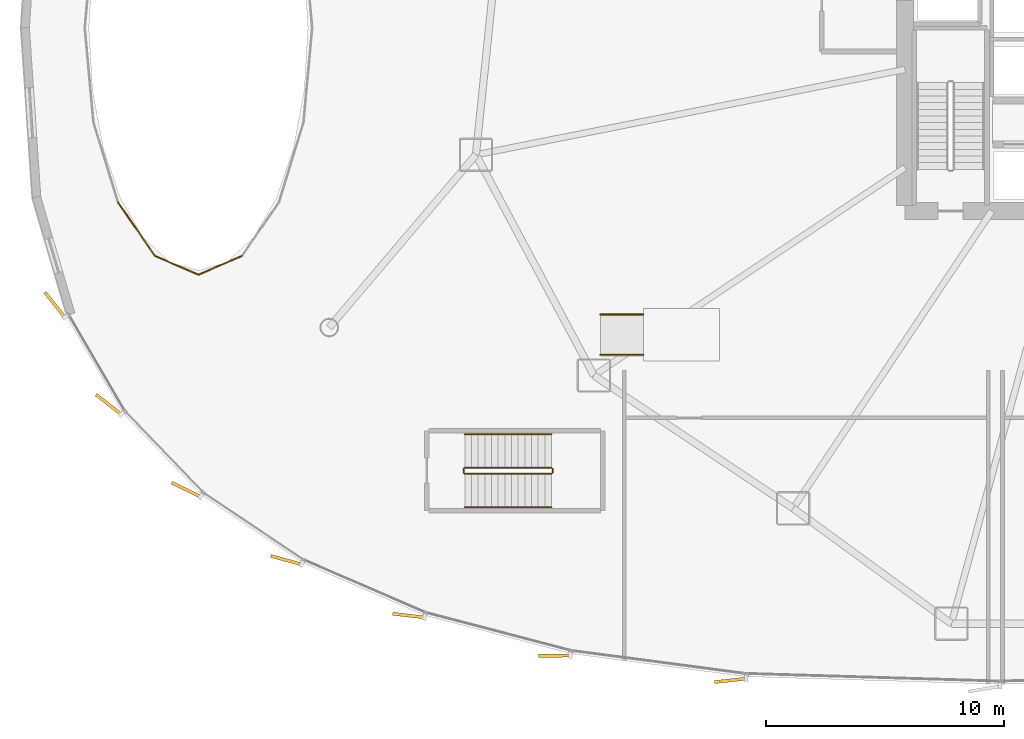
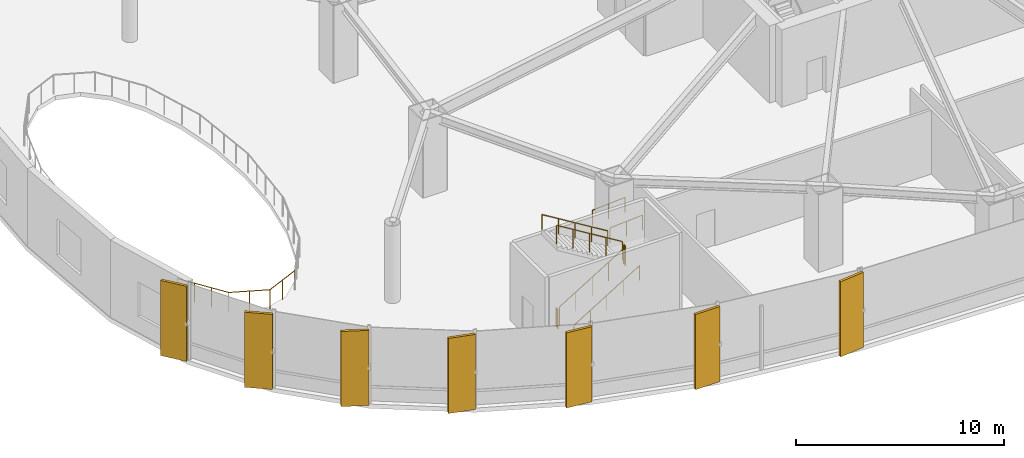
# One storey, part 28 of 33: 11 railings, 7 coverings.
"""IFC4 building model written with IfcOpenShell, lengths in metres."""

import ifcopenshell
import ifcopenshell.guid

model = None  # the IFC model being written
_history = None  # IfcOwnerHistory: only IFC2X3 demands one
_inside = {}  # id of a spatial element -> (the spatial element, [elements in it])
_under = {}  # id of a project, library or spatial element -> (it, [spatial elements below it])
_declared = {}  # id of a project -> (the project, [libraries it declares])
_typed = {}  # id of a type object -> (the type object, [elements of that type])
_made_of = {}  # id of a material, layer set ... -> (it, [elements and type objects made of it])


def new_model(schema):
    """Start an empty IFC model of exactly this schema.

    Asked for "IFC4X3", IfcOpenShell would pick the latest addendum, in which some entities
    have other attributes; the version numbers below select the first issue.
    IFC2X3 requires an IfcOwnerHistory on every rooted entity: one is made here for all.
    """
    global model, _history
    if schema == "IFC4X3":
        model = ifcopenshell.file(schema_version=(4, 3, 0, 0))
    else:
        model = ifcopenshell.file(schema=schema)
    _inside.clear()
    _under.clear()
    _declared.clear()
    _typed.clear()
    _made_of.clear()
    _history = None
    if model.schema == "IFC2X3":
        org = make("IfcOrganization", Name="unknown")
        user = make(
            "IfcPersonAndOrganization",
            ThePerson=make("IfcPerson", FamilyName="unknown"),
            TheOrganization=org,
        )
        app = make(
            "IfcApplication",
            ApplicationDeveloper=org,
            Version="unknown",
            ApplicationFullName="unknown",
            ApplicationIdentifier="unknown",
        )
        _history = make(
            "IfcOwnerHistory",
            OwningUser=user,
            OwningApplication=app,
            ChangeAction="ADDED",
            CreationDate=0,
        )
    return model


def make(cls, **values):
    """One entity of the class cls with the attributes given. An attribute that is None is left unset."""
    return model.create_entity(
        cls, **{name: value for name, value in values.items() if value is not None}
    )


def rooted(cls, **values):
    """An entity with a GlobalId (a new one), such as an element, a storey or a relation."""
    return make(cls, GlobalId=ifcopenshell.guid.new(), OwnerHistory=_history, **values)


def si_unit(unit_type, name, prefix=None):
    """IfcSIUnit, for example si_unit("LENGTHUNIT", "METRE", prefix="MILLI")."""
    return make("IfcSIUnit", UnitType=unit_type, Prefix=prefix, Name=name)


def assignment(units):
    """IfcUnitAssignment: the units of a project."""
    return None if units is None else make("IfcUnitAssignment", Units=units)


def point(xyz):
    """IfcCartesianPoint."""
    return None if xyz is None else make("IfcCartesianPoint", Coordinates=xyz)


def direction(xyz):
    """IfcDirection."""
    return None if xyz is None else make("IfcDirection", DirectionRatios=xyz)


def frame(location, z_axis=None, x_axis=None):
    """IfcAxis2Placement3D, a coordinate frame: its origin and axes. An axis left out is left unset."""
    return make(
        "IfcAxis2Placement3D",
        Location=point(location),
        Axis=direction(z_axis),
        RefDirection=direction(x_axis),
    )


def frame_2d(location, x_axis=None):
    """IfcAxis2Placement2D, a coordinate frame in the plane: its origin and x axis."""
    return make(
        "IfcAxis2Placement2D", Location=point(location), RefDirection=direction(x_axis)
    )


def origin():
    """The frame at (0, 0, 0) with its axes left unset."""
    return frame((0.0, 0.0, 0.0))


def origin_2d():
    """The frame at (0, 0) in the plane with its x axis left unset."""
    return frame_2d((0.0, 0.0))


def place(relative_to, where):
    """IfcLocalPlacement: puts the frame where relative to a parent placement (None: the world)."""
    return make(
        "IfcLocalPlacement", PlacementRelTo=relative_to, RelativePlacement=where
    )


def context(
    kind, dimensions, precision=None, world=None, true_north=None, identifier=None
):
    """IfcGeometricRepresentationContext, for example the 3D "Model" context."""
    return make(
        "IfcGeometricRepresentationContext",
        ContextIdentifier=identifier,
        ContextType=kind,
        CoordinateSpaceDimension=dimensions,
        Precision=precision,
        WorldCoordinateSystem=world,
        TrueNorth=true_north,
    )


def subcontext(parent, identifier, kind, view, scale=None):
    """IfcGeometricRepresentationSubContext, for example "Body" below "Model"."""
    return make(
        "IfcGeometricRepresentationSubContext",
        ContextIdentifier=identifier,
        ContextType=kind,
        ParentContext=parent,
        TargetScale=scale,
        TargetView=view,
    )


def project(units=None, contexts=None):
    """IfcProject with its units and contexts."""
    return rooted(
        "IfcProject",
        Name="project",
        RepresentationContexts=contexts,
        UnitsInContext=assignment(units),
    )


def spatial(cls, under=None, at=None, **own):
    """A site, building, storey or space (cls), placed at a placement, below another one or the project."""
    s = rooted(cls, ObjectPlacement=at, **own)
    if under is not None:
        _under.setdefault(under.id(), (under, []))[1].append(s)
    return s


def profile(cls, at=None, kind="AREA", **sizes):
    """A parametric profile (cls). Its sizes go by their IFC names, for example OverallWidth=200.0."""
    return make(cls, ProfileType=kind, Position=at, **sizes)


def rectangle(**sizes):
    """IfcRectangleProfileDef."""
    return profile("IfcRectangleProfileDef", **sizes)


def circle(**sizes):
    """IfcCircleProfileDef."""
    return profile("IfcCircleProfileDef", **sizes)


def extrude(swept, where, along, depth):
    """IfcExtrudedAreaSolid: the profile swept, set in the frame where, extruded along a direction by depth."""
    return make(
        "IfcExtrudedAreaSolid",
        SweptArea=swept,
        Position=where,
        ExtrudedDirection=direction(along),
        Depth=depth,
    )


def shape(context_of_items, identifier, shape_type, items):
    """IfcShapeRepresentation: the items that make up one representation, for example the "Body"."""
    return make(
        "IfcShapeRepresentation",
        ContextOfItems=context_of_items,
        RepresentationIdentifier=identifier,
        RepresentationType=shape_type,
        Items=items,
    )


def source(mapping_origin, context_of_items, identifier, shape_type, items):
    """IfcRepresentationMap: a shape defined once, which mapped items show again and again."""
    return make(
        "IfcRepresentationMap",
        MappingOrigin=mapping_origin,
        MappedRepresentation=shape(context_of_items, identifier, shape_type, items),
    )


def transform(
    local_origin,
    x_axis=None,
    y_axis=None,
    z_axis=None,
    scale=None,
    scale2=None,
    scale3=None,
    uniform=True,
):
    """IfcCartesianTransformationOperator3D, or its non-uniform kind. x_axis, y_axis, z_axis: its Axis1, 2, 3."""
    if uniform:
        return make(
            "IfcCartesianTransformationOperator3D",
            Axis1=direction(x_axis),
            Axis2=direction(y_axis),
            LocalOrigin=point(local_origin),
            Scale=scale,
            Axis3=direction(z_axis),
        )
    return make(
        "IfcCartesianTransformationOperator3DnonUniform",
        Axis1=direction(x_axis),
        Axis2=direction(y_axis),
        LocalOrigin=point(local_origin),
        Scale=scale,
        Axis3=direction(z_axis),
        Scale2=scale2,
        Scale3=scale3,
    )


def mapped(mapping_source, mapping_target):
    """IfcMappedItem: shows the shape of a source again, moved by a transform."""
    return make(
        "IfcMappedItem", MappingSource=mapping_source, MappingTarget=mapping_target
    )


def material(Name=None, Category=None):
    """IfcMaterial."""
    return make("IfcMaterial", Name=Name, Category=Category)


def layer(
    of_material, thickness, ventilated=None, Name=None, Category=None, Priority=None
):
    """IfcMaterialLayer: one layer of a wall or slab, of a material (None: an air gap)."""
    return make(
        "IfcMaterialLayer",
        Material=of_material,
        LayerThickness=thickness,
        IsVentilated=ventilated,
        Name=Name,
        Category=Category,
        Priority=Priority,
    )


def layer_set(layers, Name=None):
    """IfcMaterialLayerSet."""
    return make("IfcMaterialLayerSet", MaterialLayers=layers, LayerSetName=Name)


def made_of(thing, what):
    """Note that an element or type object is made of a material, layer set ...; save() writes the relation."""
    if what is not None:
        _made_of.setdefault(what.id(), (what, []))[1].append(thing)
    return thing


def type_object(cls, material=None, **own):
    """A type object (cls), such as IfcWallType, which elements share."""
    return made_of(rooted(cls, **own), material)


def element(
    cls,
    number,
    at=None,
    inside=None,
    cuts=None,
    type_object=None,
    material=None,
    context=None,
    identifier="Body",
    shape_type=None,
    held_by="IfcProductDefinitionShape",
    body=None,
    shapes=None,
    **own,
):
    """One element of the class cls, such as IfcWall. Its Tag is "e" and its number.

    at: its placement. inside: the storey or other place that contains it. cuts: it is an
    opening in that element (IfcRelVoidsElement). A single representation is given by context,
    identifier, shape_type and body (its items); several are given by shapes. held_by: the class
    of the entity that holds the representations. save() writes the other relations.
    """
    e = rooted(cls, Tag="e%d" % number, ObjectPlacement=at, **own)
    if body is not None:
        shapes = [shape(context, identifier, shape_type, body)]
    if shapes is not None:
        e.Representation = make(held_by, Representations=shapes)
    if inside is not None:
        _inside.setdefault(inside.id(), (inside, []))[1].append(e)
    if cuts is not None:
        rooted(
            "IfcRelVoidsElement", RelatingBuildingElement=cuts, RelatedOpeningElement=e
        )
    if type_object is not None:
        _typed.setdefault(type_object.id(), (type_object, []))[1].append(e)
    return made_of(e, material)


def aggregate(whole, parts):
    """IfcRelAggregates: a whole, such as a stair, and the parts it consists of."""
    return rooted("IfcRelAggregates", RelatingObject=whole, RelatedObjects=parts)


def save(model, path):
    """Write the relations noted so far, then the file.

    IfcRelAggregates (storeys below a building ...), IfcRelContainedInSpatialStructure (elements
    in a storey), IfcRelDefinesByType, IfcRelAssociatesMaterial and IfcRelDeclares: one each for
    every whole, place, type object, material and project.
    """
    for whole, parts in _under.values():
        aggregate(whole, parts)
    for where, things in _inside.values():
        rooted(
            "IfcRelContainedInSpatialStructure",
            RelatedElements=things,
            RelatingStructure=where,
        )
    for kind, things in _typed.values():
        rooted("IfcRelDefinesByType", RelatedObjects=things, RelatingType=kind)
    for what, things in _made_of.values():
        rooted("IfcRelAssociatesMaterial", RelatedObjects=things, RelatingMaterial=what)
    for by, libraries in _declared.values():
        rooted("IfcRelDeclares", RelatingContext=by, RelatedDefinitions=libraries)
    model.write(path)


model = new_model("IFC4")

# Units and contexts
model_context = context("Model", 3, precision=1e-05, world=origin(), true_north=direction((0.0, 1.0)))
body_context = subcontext(model_context, "Body", "Model", "MODEL_VIEW")
ifc_project = project(units=[si_unit("LENGTHUNIT", "METRE"), si_unit("AREAUNIT", "SQUARE_METRE"), si_unit("VOLUMEUNIT", "CUBIC_METRE"), si_unit("PLANEANGLEUNIT", "RADIAN"), si_unit("MASSUNIT", "GRAM", prefix="KILO"), si_unit("THERMODYNAMICTEMPERATUREUNIT", "KELVIN")], contexts=[model_context])

# Site, building, storey
site_placement = place(None, origin())
site = spatial("IfcSite", under=ifc_project, at=site_placement, CompositionType="ELEMENT")
building_placement = place(site_placement, origin())
building = spatial("IfcBuilding", under=site, at=building_placement, Name="Kethvar Cultural Tower", CompositionType="ELEMENT")
storey_placement = place(building_placement, frame((0.0, 0.0, 10.0)))
storey = spatial("IfcBuildingStorey", under=building, at=storey_placement, Name="L02", CompositionType="ELEMENT", Elevation=10.0)

# Railings
ifc_material_1 = material(Name="Steel S355J2", Category="steel")
railing_type_1 = type_object("IfcRailingType", Name="RL-INT-ATRIUM-1150", PredefinedType="BALUSTRADE", material=ifc_material_1)
railing_1_placement = place(storey_placement, frame((4.919921875, 20.460205078125, 0.0)))
element("IfcRailing", 1, at=railing_1_placement, inside=storey, type_object=railing_type_1, Name="L02 Atrium Void Balustrade 11", PredefinedType="BALUSTRADE", context=body_context, shape_type="SweptSolid", body=[
    extrude(circle(Radius=0.02392578125, at=origin_2d()), frame((0.0, 0.0, 1.1259765625), z_axis=(0.567499103601, -0.823374014293, 0.0), x_axis=(0.823374014293, 0.567499103601, 0.0)), (0.0, 0.0, 1.0), 2.732666015625),
    extrude(circle(Radius=0.02099609375, at=origin_2d()), origin(), (0.0, 0.0, 1.0), 1.101806640625),
    extrude(circle(Radius=0.02099609375, at=origin_2d()), frame((0.516845703125, -0.75, 0.0)), (0.0, 0.0, 1.0), 1.101806640625),
    extrude(circle(Radius=0.02099609375, at=origin_2d()), frame((1.033935546875, -1.5, 0.0)), (0.0, 0.0, 1.0), 1.101806640625),
    extrude(circle(Radius=0.02099609375, at=origin_2d()), frame((1.55078125, -2.25, 0.0)), (0.0, 0.0, 1.0), 1.101806640625),
])
railing_2_placement = place(storey_placement, frame((6.470703125, 18.210205078125, 0.0)))
element("IfcRailing", 2, at=railing_2_placement, inside=storey, type_object=railing_type_1, Name="L02 Atrium Void Balustrade 12", PredefinedType="BALUSTRADE", context=body_context, shape_type="SweptSolid", body=[
    extrude(circle(Radius=0.02392578125, at=origin_2d()), frame((0.0, 0.0, 1.1259765625), z_axis=(0.918000525131, -0.396579167203, 0.0), x_axis=(0.396579167203, 0.918000525131, 0.0)), (0.0, 0.0, 1.0), 1.99267578125),
    extrude(circle(Radius=0.02099609375, at=origin_2d()), origin(), (0.0, 0.0, 1.0), 1.101806640625),
    extrude(circle(Radius=0.02099609375, at=origin_2d()), frame((0.91455078125, -0.39501953125, 0.0)), (0.0, 0.0, 1.0), 1.101806640625),
    extrude(circle(Radius=0.02099609375, at=origin_2d()), frame((1.829345703125, -0.790283203125, 0.0)), (0.0, 0.0, 1.0), 1.101806640625),
])
railing_3_placement = place(storey_placement, frame((8.300048828125, 17.419921875, 0.0)))
element("IfcRailing", 3, at=railing_3_placement, inside=storey, type_object=railing_type_1, Name="L02 Atrium Void Balustrade 13", PredefinedType="BALUSTRADE", context=body_context, shape_type="SweptSolid", body=[
    extrude(circle(Radius=0.02392578125, at=origin_2d()), frame((0.0, 0.0, 1.1259765625), z_axis=(0.917981253421, 0.396623774336, 0.0), x_axis=(-0.396623774336, 0.917981253421, 0.0)), (0.0, 0.0, 1.0), 1.992431640625),
    extrude(circle(Radius=0.02099609375, at=origin_2d()), origin(), (0.0, 0.0, 1.0), 1.101806640625),
    extrude(circle(Radius=0.02099609375, at=origin_2d()), frame((0.91455078125, 0.39501953125, 0.0)), (0.0, 0.0, 1.0), 1.101806640625),
    extrude(circle(Radius=0.02099609375, at=origin_2d()), frame((1.8291015625, 0.790283203125, 0.0)), (0.0, 0.0, 1.0), 1.101806640625),
])
railing_type_2 = type_object("IfcRailingType", Name="RL-STAIR-GUARD", PredefinedType="BALUSTRADE", material=ifc_material_1)
railing_4_placement = place(storey_placement, frame((19.5, 9.050048828125, 0.17138671875)))
element("IfcRailing", 4, at=railing_4_placement, inside=storey, type_object=railing_type_2, Name="L02 ST-04 stair guard 1", PredefinedType="BALUSTRADE", context=body_context, shape_type="SweptSolid", body=[
    extrude(circle(Radius=0.02392578125, at=origin_2d()), frame((0.0, 0.0, 1.09619140625), z_axis=(0.852850264322, 0.0, 0.5221555579), x_axis=(0.0, 1.0, 0.0)), (0.0, 0.0, 1.0), 4.267822265625),
    extrude(circle(Radius=0.02099609375, at=origin_2d()), origin(), (0.0, 0.0, 1.0), 1.072021484375),
    extrude(circle(Radius=0.02099609375, at=origin_2d()), frame((0.909912109375, 0.0, 0.55712890625)), (0.0, 0.0, 1.0), 1.072021484375),
    extrude(circle(Radius=0.02099609375, at=origin_2d()), frame((1.81982421875, 0.0, 1.1142578125)), (0.0, 0.0, 1.0), 1.072021484375),
    extrude(circle(Radius=0.02099609375, at=origin_2d()), frame((2.72998046875, 0.0, 1.67138671875)), (0.0, 0.0, 1.0), 1.072021484375),
    extrude(circle(Radius=0.02099609375, at=origin_2d()), frame((3.639892578125, 0.0, 2.228515625)), (0.0, 0.0, 1.0), 1.072021484375),
])
railing_5_placement = place(storey_placement, frame((23.18994140625, 9.10009765625, 2.39990234375)))
element("IfcRailing", 5, at=railing_5_placement, inside=storey, type_object=railing_type_2, Name="L02 ST-04 stair guard 2", PredefinedType="BALUSTRADE", context=body_context, shape_type="SweptSolid", body=[
    extrude(circle(Radius=0.02392578125, at=origin_2d()), frame((0.0, 0.0, 1.09619140625), z_axis=(0.0, 1.0, 0.0), x_axis=(-1.0, 0.0, 0.0)), (0.0, 0.0, 1.0), 0.159912109375),
    extrude(circle(Radius=0.02099609375, at=origin_2d()), origin(), (0.0, 0.0, 1.0), 1.072021484375),
    extrude(circle(Radius=0.02099609375, at=origin_2d()), frame((0.0, 0.159912109375, 0.0)), (0.0, 0.0, 1.0), 1.072021484375),
])
railing_6_placement = place(storey_placement, frame((23.139892578125, 9.31005859375, 2.571533203125)))
element("IfcRailing", 6, at=railing_6_placement, inside=storey, type_object=railing_type_2, Name="L02 ST-04 stair guard 3", PredefinedType="BALUSTRADE", context=body_context, shape_type="SweptSolid", body=[
    extrude(circle(Radius=0.02392578125, at=origin_2d()), frame((0.0, 0.0, 1.09619140625), z_axis=(-0.852850264322, 0.0, 0.5221555579), x_axis=(0.0, -1.0, 0.0)), (0.0, 0.0, 1.0), 4.267822265625),
    extrude(circle(Radius=0.02099609375, at=origin_2d()), origin(), (0.0, 0.0, 1.0), 1.072021484375),
    extrude(circle(Radius=0.02099609375, at=origin_2d()), frame((-0.909912109375, 0.0, 0.55712890625)), (0.0, 0.0, 1.0), 1.072021484375),
    extrude(circle(Radius=0.02099609375, at=origin_2d()), frame((-1.81982421875, 0.0, 1.1142578125)), (0.0, 0.0, 1.0), 1.072021484375),
    extrude(circle(Radius=0.02099609375, at=origin_2d()), frame((-2.72998046875, 0.0, 1.67138671875)), (0.0, 0.0, 1.0), 1.072021484375),
    extrude(circle(Radius=0.02099609375, at=origin_2d()), frame((-3.639892578125, 0.0, 2.228515625)), (0.0, 0.0, 1.0), 1.072021484375),
])
railing_7_placement = place(storey_placement, frame((19.449951171875, 9.10009765625, 0.0)))
element("IfcRailing", 7, at=railing_7_placement, inside=storey, type_object=railing_type_2, Name="L02 ST-04 stair guard 4", PredefinedType="BALUSTRADE", context=body_context, shape_type="SweptSolid", body=[
    extrude(circle(Radius=0.02392578125, at=origin_2d()), frame((0.0, 0.0, 1.09619140625), z_axis=(0.0, 1.0, 0.0), x_axis=(-1.0, 0.0, 0.0)), (0.0, 0.0, 1.0), 0.159912109375),
    extrude(circle(Radius=0.02099609375, at=origin_2d()), origin(), (0.0, 0.0, 1.0), 1.072021484375),
    extrude(circle(Radius=0.02099609375, at=origin_2d()), frame((0.0, 0.159912109375, 0.0)), (0.0, 0.0, 1.0), 1.072021484375),
])
railing_type_3 = type_object("IfcRailingType", Name="RL-STAIR-HANDRAIL", PredefinedType="HANDRAIL", material=ifc_material_1)
railing_8_placement = place(storey_placement, frame((19.5, 7.64990234375, 0.17138671875)))
element("IfcRailing", 8, at=railing_8_placement, inside=storey, type_object=railing_type_3, Name="L02 ST-04 stair handrail 1", PredefinedType="HANDRAIL", context=body_context, shape_type="SweptSolid", body=[
    extrude(circle(Radius=0.02392578125, at=origin_2d()), frame((0.0, 0.0, 0.8759765625), z_axis=(0.852850264322, 0.0, 0.5221555579), x_axis=(0.0, 1.0, 0.0)), (0.0, 0.0, 1.0), 4.267822265625),
    extrude(circle(Radius=0.02099609375, at=origin_2d()), origin(), (0.0, 0.0, 1.0), 0.851806640625),
    extrude(circle(Radius=0.02099609375, at=origin_2d()), frame((0.909912109375, 0.0, 0.55712890625)), (0.0, 0.0, 1.0), 0.851806640625),
    extrude(circle(Radius=0.02099609375, at=origin_2d()), frame((1.81982421875, 0.0, 1.1142578125)), (0.0, 0.0, 1.0), 0.851806640625),
    extrude(circle(Radius=0.02099609375, at=origin_2d()), frame((2.72998046875, 0.0, 1.67138671875)), (0.0, 0.0, 1.0), 0.851806640625),
    extrude(circle(Radius=0.02099609375, at=origin_2d()), frame((3.639892578125, 0.0, 2.228515625)), (0.0, 0.0, 1.0), 0.851806640625),
])
railing_9_placement = place(storey_placement, frame((23.139892578125, 10.7099609375, 2.571533203125)))
element("IfcRailing", 9, at=railing_9_placement, inside=storey, type_object=railing_type_3, Name="L02 ST-04 stair handrail 2", PredefinedType="HANDRAIL", context=body_context, shape_type="SweptSolid", body=[
    extrude(circle(Radius=0.02392578125, at=origin_2d()), frame((0.0, 0.0, 0.8759765625), z_axis=(-0.852850264322, 0.0, 0.5221555579), x_axis=(0.0, -1.0, 0.0)), (0.0, 0.0, 1.0), 4.267822265625),
    extrude(circle(Radius=0.02099609375, at=origin_2d()), origin(), (0.0, 0.0, 1.0), 0.851806640625),
    extrude(circle(Radius=0.02099609375, at=origin_2d()), frame((-0.909912109375, 0.0, 0.55712890625)), (0.0, 0.0, 1.0), 0.851806640625),
    extrude(circle(Radius=0.02099609375, at=origin_2d()), frame((-1.81982421875, 0.0, 1.1142578125)), (0.0, 0.0, 1.0), 0.851806640625),
    extrude(circle(Radius=0.02099609375, at=origin_2d()), frame((-2.72998046875, 0.0, 1.67138671875)), (0.0, 0.0, 1.0), 0.851806640625),
    extrude(circle(Radius=0.02099609375, at=origin_2d()), frame((-3.639892578125, 0.0, 2.228515625)), (0.0, 0.0, 1.0), 0.851806640625),
])
for number, where, name in (
    (10, (25.199951171875, 14.050048828125, 0.0), "L02 Accessible Ramp Handrail S"),
    (11, (25.199951171875, 15.75, 0.0), "L02 Accessible Ramp Handrail N"),
):
    element("IfcRailing", number, at=place(storey_placement, frame(where)), inside=storey, type_object=railing_type_3, Name=name, PredefinedType="HANDRAIL", context=body_context, shape_type="SweptSolid", body=[
        extrude(circle(Radius=0.02392578125, at=origin_2d()), frame((0.0, 0.0, 0.8759765625), z_axis=(0.997780964268, 0.0, 0.0665818845), x_axis=(0.0, 1.0, 0.0)), (0.0, 0.0, 1.0), 1.803955078125),
        extrude(circle(Radius=0.02099609375, at=origin_2d()), origin(), (0.0, 0.0, 1.0), 0.851806640625),
        extrude(circle(Radius=0.02099609375, at=origin_2d()), frame((0.89990234375, 0.0, 0.06005859375)), (0.0, 0.0, 1.0), 0.851806640625),
        extrude(circle(Radius=0.02099609375, at=origin_2d()), frame((1.800048828125, 0.0, 0.1201171875)), (0.0, 0.0, 1.0), 0.851806640625),
    ])

# Coverings
ifc_material_2 = material(Name="Extruded Architectural Terracotta", Category="masonry")
ifc_layer = layer(ifc_material_2, 0.135009765625, Name="Extruded Architectural Terracotta", Category="masonry")
ifc_layer_set = layer_set([ifc_layer], Name="Extruded Architectural Terracotta (135 mm)")
covering_type = type_object("IfcCoveringType", Name="Terracotta Facade Fin FIN-04", PredefinedType="CLADDING", material=ifc_layer_set)
shared_shape = source(origin(), body_context, "Body", "SweptSolid", [
    extrude(rectangle(XDim=1.35009765625, YDim=0.135009765625, at=origin_2d()), origin(), (0.0, 0.0, 1.0), 4.39990234375),
])
for number, where, z_axis, x_axis, name in (
    (12, (2.2626953125, 16.156005859375, 0.02001953125), (0.0, 0.0, 1.0), (-0.618819784276, 0.785532987588, 0.0), "L02 Vertical Terracotta Fin 4.1"),
    (13, (4.526611328125, 11.96728515625, 0.02001953125), (0.0, 0.0, 1.0), (-0.786935021961, 0.617035875141, 0.0), "L02 Vertical Terracotta Fin 4.2"),
    (14, (7.784912109375, 8.381591796875, 0.02001953125), (0.0, 0.0, 1.0), (-0.900166792241, 0.435545343388, 0.0), "L02 Vertical Terracotta Fin 4.3"),
    (15, (11.990966796875, 5.421142578125, 0.02001953125), (0.0, 0.0, 1.0), (-0.964326778534, 0.264714684522, 0.0), "L02 Vertical Terracotta Fin 4.4"),
    (16, (17.135986328125, 3.091796875, 0.02001953125), (0.0, 0.0, 1.0), (-0.993251859042, 0.115977344809, 0.0), "L02 Vertical Terracotta Fin 4.5"),
    (17, (23.2646484375, 1.404296875, 0.02001953125), (0.0, 0.0, 1.0), (-0.999963430902, -0.008552009087, 0.0), "L02 Vertical Terracotta Fin 4.6"),
    (18, (30.659423828125, 0.367919921875, 0.02001953125), (0.0, 0.0, 1.0), (-0.994018275953, -0.109213859333, 0.0), "L02 Vertical Terracotta Fin 5.1"),
):
    element("IfcCovering", number, at=place(storey_placement, frame(where, z_axis=z_axis, x_axis=x_axis)), inside=storey, type_object=covering_type, Name=name, PredefinedType="CLADDING", context=body_context, shape_type="MappedRepresentation", body=[
        mapped(shared_shape, transform((0.0, 0.0, 0.0), scale=1.0)),
    ])

save(model, "model.ifc")
